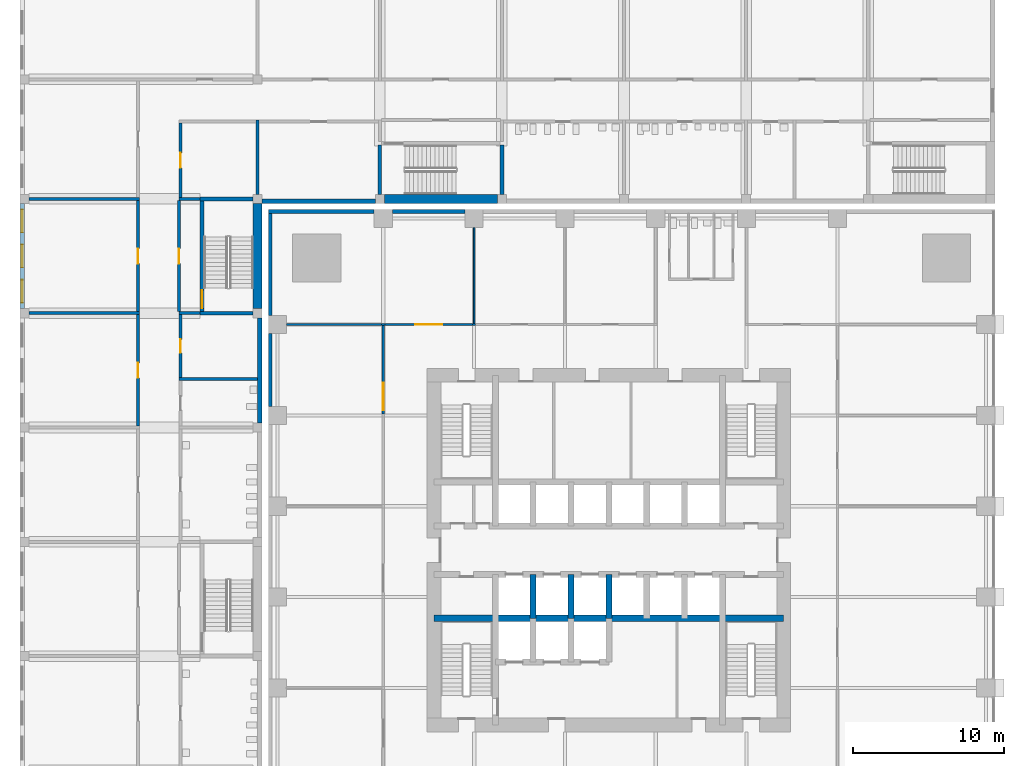
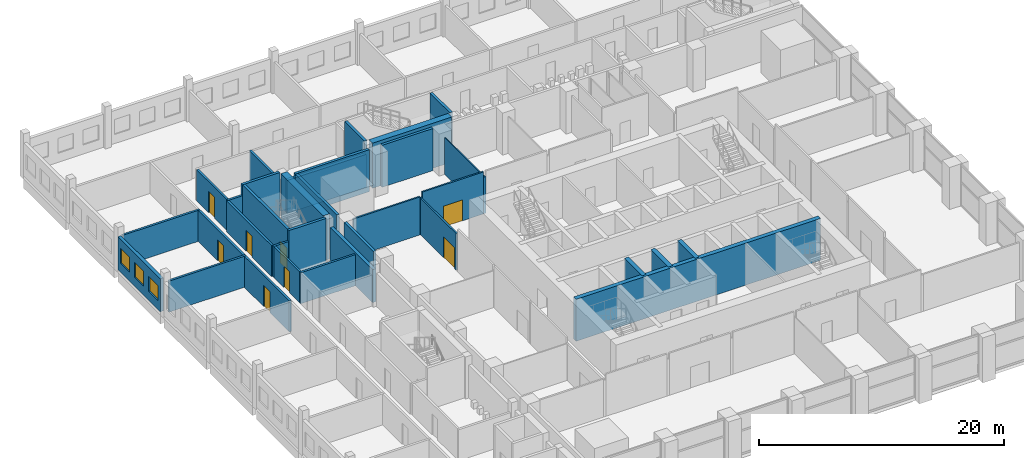
# One storey, part 13 of 25: 35 walls, 8 doors, 3 windows, 11 openings.
"""IFC4 building model written with IfcOpenShell, lengths in metres."""

from ifc_helpers import new_model, si_unit, direction, frame, frame_2d, origin, place, context, subcontext, project, spatial, rectangle, extrude, material, layer, layer_set, type_object, element, fill, save


model = new_model("IFC4")

# Units and contexts
model_context = context("Model", 3, precision=1e-05, world=origin(), true_north=direction((0.0, 1.0)))
body_context = subcontext(model_context, "Body", "Model", "MODEL_VIEW")
ifc_project = project(units=[si_unit("LENGTHUNIT", "METRE"), si_unit("AREAUNIT", "SQUARE_METRE"), si_unit("VOLUMEUNIT", "CUBIC_METRE"), si_unit("PLANEANGLEUNIT", "RADIAN"), si_unit("MASSUNIT", "GRAM", prefix="KILO")], contexts=[model_context])

# Site, building, storey
site_placement = place(None, origin())
site = spatial("IfcSite", under=ifc_project, at=site_placement, CompositionType="ELEMENT")
building_placement = place(site_placement, origin())
building = spatial("IfcBuilding", under=site, at=building_placement, Name="Amberfall Residences", CompositionType="ELEMENT")
storey_placement = place(building_placement, frame((0.0, 0.0, 14.5)))
storey = spatial("IfcBuildingStorey", under=building, at=storey_placement, Name="L03", CompositionType="ELEMENT", Elevation=14.5)

# Walls
ifc_material_1 = material(Name="Concrete C80", Category="concrete")
ifc_layer_1 = layer(ifc_material_1, 0.39990234375)
ifc_layer_set_1 = layer_set([ifc_layer_1], Name="Core wall 400 C80")
wall_type_1 = type_object("IfcWallType", Name="Core wall 400 C80", PredefinedType="SHEAR", material=ifc_layer_set_1)
wall_1_placement = place(storey_placement, frame((62.949951171875, 41.0, 0.0), z_axis=(0.0, 0.0, 1.0), x_axis=(1.0, 0.0, 0.0)))
element("IfcWall", 1, at=wall_1_placement, inside=storey, type_object=wall_type_1, Name="Core wall RW2 L03 H75", PredefinedType="SHEAR", context=body_context, shape_type="SweptSolid", body=[
    extrude(rectangle(XDim=23.10009765625, YDim=0.39990234375, at=frame_2d((11.550048828125, 0.0))), origin(), (0.0, 0.0, 1.0), 4.199951171875),
])
for number, where, z_axis, x_axis, name in (
    (2, (69.5, 41.0, 0.0), (0.0, 0.0, 1.0), (0.0, 1.0, 0.0), "Core wall RW2 L03 LPD1"),
    (3, (72.0, 41.0, 0.0), (0.0, 0.0, 1.0), (0.0, 1.0, 0.0), "Core wall RW2 L03 LPD2"),
    (4, (74.5, 41.0, 0.0), (0.0, 0.0, 1.0), (0.0, 1.0, 0.0), "Core wall RW2 L03 LPD3"),
):
    element("IfcWall", number, at=place(storey_placement, frame(where, z_axis=z_axis, x_axis=x_axis)), inside=storey, type_object=wall_type_1, Name=name, PredefinedType="SHEAR", context=body_context, shape_type="SweptSolid", body=[
        extrude(rectangle(XDim=2.89990234375, YDim=0.39990234375, at=frame_2d((1.449951171875, 0.0))), origin(), (0.0, 0.0, 1.0), 4.199951171875),
    ])
ifc_material_2 = material(Name="Gypsum board on steel studs", Category="steel")
ifc_layer_2 = layer(ifc_material_2, 0.10009765625)
ifc_layer_set_2 = layer_set([ifc_layer_2], Name="Partition 100")
wall_type_2 = type_object("IfcWallType", Name="Partition 100", PredefinedType="PARTITIONING", material=ifc_layer_set_2)
wall_2_placement = place(storey_placement, frame((65.60009765625, 60.47509765625, 0.0), z_axis=(0.0, 0.0, 1.0), x_axis=(0.0, 1.0, 0.0)))
element("IfcWall", 5, at=wall_2_placement, inside=storey, type_object=wall_type_2, Name="Partition 100 L03 004", PredefinedType="PARTITIONING", context=body_context, shape_type="SweptSolid", body=[
    extrude(rectangle(XDim=6.324951171875, YDim=0.10009765625, at=frame_2d((3.16259765625, 0.0))), origin(), (0.0, 0.0, 1.0), 3.6669921875),
])
ifc_material_3 = material(Name="Fire-rated gypsum board on steel studs", Category="steel")
ifc_layer_3 = layer(ifc_material_3, 0.14990234375)
ifc_layer_set_3 = layer_set([ifc_layer_3], Name="Partition 150 fire-rated")
wall_type_3 = type_object("IfcWallType", Name="Partition 150 fire-rated", PredefinedType="PARTITIONING", material=ifc_layer_set_3)
wall_3_placement = place(storey_placement, frame((53.199951171875, 60.39990234375, 0.0), z_axis=(0.0, 0.0, 1.0), x_axis=(1.0, 0.0, 0.0)))
element("IfcWall", 6, at=wall_3_placement, inside=storey, type_object=wall_type_3, Name="Partition 150 fire-rated L03 015", PredefinedType="PARTITIONING", context=body_context, shape_type="SweptSolid", body=[
    extrude(rectangle(XDim=6.280029296875, YDim=0.14990234375, at=frame_2d((3.14013671875, 0.0))), origin(), (0.0, 0.0, 1.0), 3.797119140625),
])
wall_4_placement = place(storey_placement, frame((59.49462890625, 60.39990234375, 0.0), z_axis=(0.0, 0.0, 1.0), x_axis=(1.0, 0.0, 0.0)))
element("IfcWall", 7, at=wall_4_placement, inside=storey, type_object=wall_type_3, Name="Partition 150 fire-rated L03 016", PredefinedType="PARTITIONING", context=body_context, shape_type="SweptSolid", body=[
    extrude(rectangle(XDim=0.210693359375, YDim=0.14990234375, at=frame_2d((0.10546875, 0.0))), origin(), (0.0, 0.0, 1.0), 3.660888671875),
])

# Wall, opening, door
wall_5_placement = place(storey_placement, frame((59.705322265625, 60.39990234375, 0.0), z_axis=(0.0, 0.0, 1.0), x_axis=(1.0, 0.0, 0.0)))
wall_5 = element("IfcWall", 8, at=wall_5_placement, inside=storey, type_object=wall_type_3, Name="Partition 150 fire-rated L03 017", PredefinedType="PARTITIONING", context=body_context, shape_type="SweptSolid", body=[
    extrude(rectangle(XDim=5.7900390625, YDim=0.14990234375, at=frame_2d((2.89501953125, 0.0))), origin(), (0.0, 0.0, 1.0), 4.199951171875),
])
opening_1_placement = place(wall_5_placement, frame((1.99462890625, 0.0, 0.0)))
opening_1 = element("IfcOpeningElement", 9, at=opening_1_placement, cuts=wall_5, Name="Opening D5", PredefinedType="OPENING", context=body_context, shape_type="SweptSolid", body=[
    extrude(rectangle(XDim=1.800048828125, YDim=2.10009765625, at=frame_2d((0.89990234375, 1.050048828125))), frame((0.0, 0.0849609375, 0.0), z_axis=(0.0, -1.0, 0.0), x_axis=(1.0, 0.0, 0.0)), (0.0, 0.0, 1.0), 0.169921875),
])
ifc_material_4 = material(Name="Timber veneer door leaf", Category="wood")
door_type_1 = type_object("IfcDoorType", Name="Double door 1800x2100", OperationType="DOUBLE_DOOR_SINGLE_SWING", PredefinedType="DOOR", material=ifc_material_4)
door_1_placement = place(opening_1_placement, origin())
door_1 = element("IfcDoor", 10, at=door_1_placement, inside=storey, type_object=door_type_1, Name="Door Quiet reading room", OperationType="DOUBLE_DOOR_SINGLE_SWING", OverallHeight=2.10009765625, OverallWidth=1.800048828125, PredefinedType="DOOR", context=body_context, shape_type="SweptSolid", body=[
    extrude(rectangle(XDim=1.800048828125, YDim=2.10009765625, at=frame_2d((0.89990234375, 1.050048828125))), frame((0.0, 0.02490234375, 0.0), z_axis=(0.0, -1.0, 0.0), x_axis=(1.0, 0.0, 0.0)), (0.0, 0.0, 1.0), 0.050048828125),
])
fill(opening_1, door_1)

# Wall
wall_6_placement = place(storey_placement, frame((65.495361328125, 60.39990234375, 0.0), z_axis=(0.0, 0.0, 1.0), x_axis=(1.0, 0.0, 0.0)))
element("IfcWall", 11, at=wall_6_placement, inside=storey, type_object=wall_type_3, Name="Partition 150 fire-rated L03 018", PredefinedType="PARTITIONING", context=body_context, shape_type="SweptSolid", body=[
    extrude(rectangle(XDim=0.209228515625, YDim=0.14990234375, at=frame_2d((0.1044921875, 0.0))), origin(), (0.0, 0.0, 1.0), 3.6669921875),
])

# Wall, opening, door
wall_7_placement = place(storey_placement, frame((59.60009765625, 54.504638671875, 0.0), z_axis=(0.0, 0.0, 1.0), x_axis=(0.0, 1.0, 0.0)))
wall_7 = element("IfcWall", 12, at=wall_7_placement, inside=storey, type_object=wall_type_3, Name="Partition 150 fire-rated L03 036", PredefinedType="PARTITIONING", context=body_context, shape_type="SweptSolid", body=[
    extrude(rectangle(XDim=5.8203125, YDim=0.14990234375, at=frame_2d((2.91015625, 0.0))), origin(), (0.0, 0.0, 1.0), 3.660888671875),
])
opening_2_placement = place(wall_7_placement, frame((0.245361328125, 0.0, 0.0)))
opening_2 = element("IfcOpeningElement", 13, at=opening_2_placement, cuts=wall_7, Name="Opening D5", PredefinedType="OPENING", context=body_context, shape_type="SweptSolid", body=[
    extrude(rectangle(XDim=1.800048828125, YDim=2.10009765625, at=frame_2d((0.89990234375, 1.050048828125))), frame((0.0, 0.0849609375, 0.0), z_axis=(0.0, -1.0, 0.0), x_axis=(1.0, 0.0, 0.0)), (0.0, 0.0, 1.0), 0.169921875),
])
door_2_placement = place(opening_2_placement, origin())
door_2 = element("IfcDoor", 14, at=door_2_placement, inside=storey, type_object=door_type_1, Name="Door Craft studio", OperationType="DOUBLE_DOOR_SINGLE_SWING", OverallHeight=2.10009765625, OverallWidth=1.800048828125, PredefinedType="DOOR", context=body_context, shape_type="SweptSolid", body=[
    extrude(rectangle(XDim=1.800048828125, YDim=2.10009765625, at=frame_2d((0.89990234375, 1.050048828125))), frame((0.0, 0.02490234375, 0.0), z_axis=(0.0, -1.0, 0.0), x_axis=(1.0, 0.0, 0.0)), (0.0, 0.0, 1.0), 0.050048828125),
])
fill(opening_2, door_2)

# Walls
ifc_material_5 = material(Name="Precast concrete C40", Category="concrete")
ifc_layer_4 = layer(ifc_material_5, 0.25)
ifc_layer_set_4 = layer_set([ifc_layer_4], Name="Podium external wall 250")
wall_type_4 = type_object("IfcWallType", Name="Podium external wall 250", PredefinedType="SOLIDWALL", material=ifc_layer_set_4)
wall_8_placement = place(storey_placement, frame((52.0, 67.875, 0.0), z_axis=(0.0, 0.0, 1.0), x_axis=(1.0, 0.0, 0.0)))
element("IfcWall", 15, at=wall_8_placement, inside=storey, type_object=wall_type_4, Name="Podium external wall N1", PredefinedType="SOLIDWALL", context=body_context, shape_type="SweptSolid", body=[
    extrude(rectangle(XDim=7.0, YDim=0.25, at=frame_2d((3.5, 0.0))), origin(), (0.0, 0.0, 1.0), 4.199951171875),
])
for number, where, z_axis, x_axis, name in (
    (16, (60.199951171875, 67.875, 0.0), (0.0, 0.0, 1.0), (1.0, 0.0, 0.0), "Podium external wall N2"),
    (17, (52.125, 55.0, 0.0), (0.0, 0.0, 1.0), (0.0, 1.0, 0.0), "Podium external wall W6"),
):
    element("IfcWall", number, at=place(storey_placement, frame(where, z_axis=z_axis, x_axis=x_axis)), inside=storey, type_object=wall_type_4, Name=name, PredefinedType="SOLIDWALL", context=body_context, shape_type="SweptSolid", body=[
        extrude(rectangle(XDim=4.800048828125, YDim=0.25, at=frame_2d((2.39990234375, 0.0))), origin(), (0.0, 0.0, 1.0), 4.199951171875),
    ])
wall_9_placement = place(storey_placement, frame((52.125, 61.0, 0.0), z_axis=(0.0, 0.0, 1.0), x_axis=(0.0, 1.0, 0.0)))
element("IfcWall", 18, at=wall_9_placement, inside=storey, type_object=wall_type_4, Name="Podium external wall W7", PredefinedType="SOLIDWALL", context=body_context, shape_type="SweptSolid", body=[
    extrude(rectangle(XDim=7.0, YDim=0.25, at=frame_2d((3.5, 0.0))), origin(), (0.0, 0.0, 1.0), 4.199951171875),
])

# Wall, openings, windows
ifc_material_6 = material(Name="Aerated block wall")
ifc_layer_5 = layer(ifc_material_6, 0.300048828125)
ifc_layer_set_5 = layer_set([ifc_layer_5], Name="School external wall 300")
wall_type_5 = type_object("IfcWallType", Name="School external wall 300", PredefinedType="SOLIDWALL", material=ifc_layer_set_5)
wall_10_placement = place(storey_placement, frame((35.75, 61.449951171875, 0.0), z_axis=(0.0, 0.0, 1.0), x_axis=(0.0, 1.0, 0.0)))
wall_10 = element("IfcWall", 19, at=wall_10_placement, inside=storey, type_object=wall_type_5, Name="School external wall L03 EW7", PredefinedType="SOLIDWALL", context=body_context, shape_type="SweptSolid", body=[
    extrude(rectangle(XDim=6.949951171875, YDim=0.300048828125, at=frame_2d((3.47509765625, 0.0))), origin(), (0.0, 0.0, 1.0), 3.300048828125),
])
opening_3_placement = place(wall_10_placement, frame((0.408203125, 0.0, 0.89990234375)))
opening_3 = element("IfcOpeningElement", 20, at=opening_3_placement, cuts=wall_10, Name="Opening SWN1", PredefinedType="OPENING", context=body_context, shape_type="SweptSolid", body=[
    extrude(rectangle(XDim=1.5, YDim=1.5, at=frame_2d((0.75, 0.75))), frame((0.0, 0.159912109375, 0.0), z_axis=(0.0, -1.0, 0.0), x_axis=(1.0, 0.0, 0.0)), (0.0, 0.0, 1.0), 0.320068359375),
])
opening_4_placement = place(wall_10_placement, frame((2.72509765625, 0.0, 0.89990234375)))
opening_4 = element("IfcOpeningElement", 21, at=opening_4_placement, cuts=wall_10, Name="Opening SWN1", PredefinedType="OPENING", context=body_context, shape_type="SweptSolid", body=[
    extrude(rectangle(XDim=1.5, YDim=1.5, at=frame_2d((0.75, 0.75))), frame((0.0, 0.159912109375, 0.0), z_axis=(0.0, -1.0, 0.0), x_axis=(1.0, 0.0, 0.0)), (0.0, 0.0, 1.0), 0.320068359375),
])
opening_5_placement = place(wall_10_placement, frame((5.041748046875, 0.0, 0.89990234375)))
opening_5 = element("IfcOpeningElement", 22, at=opening_5_placement, cuts=wall_10, Name="Opening SWN1", PredefinedType="OPENING", context=body_context, shape_type="SweptSolid", body=[
    extrude(rectangle(XDim=1.5, YDim=1.5, at=frame_2d((0.75, 0.75))), frame((0.0, 0.159912109375, 0.0), z_axis=(0.0, -1.0, 0.0), x_axis=(1.0, 0.0, 0.0)), (0.0, 0.0, 1.0), 0.320068359375),
])
ifc_material_7 = material(Name="Aluminium window", Category="aluminium")
window_type = type_object("IfcWindowType", Name="School window 1500 x 1500", PartitioningType="DOUBLE_PANEL_HORIZONTAL", PredefinedType="WINDOW", material=ifc_material_7)
window_1_placement = place(opening_3_placement, origin())
window_1 = element("IfcWindow", 23, at=window_1_placement, inside=storey, type_object=window_type, Name="School window L03 EW7-1", OverallHeight=1.5, OverallWidth=1.5, PartitioningType="DOUBLE_PANEL_HORIZONTAL", PredefinedType="WINDOW", context=body_context, shape_type="SweptSolid", body=[
    extrude(rectangle(XDim=1.5, YDim=1.5, at=frame_2d((0.75, 0.75))), frame((0.0, 0.030029296875, 0.0), z_axis=(0.0, -1.0, 0.0), x_axis=(1.0, 0.0, 0.0)), (0.0, 0.0, 1.0), 0.06005859375),
])
fill(opening_3, window_1)
window_2_placement = place(opening_4_placement, origin())
window_2 = element("IfcWindow", 24, at=window_2_placement, inside=storey, type_object=window_type, Name="School window L03 EW7-2", OverallHeight=1.5, OverallWidth=1.5, PartitioningType="DOUBLE_PANEL_HORIZONTAL", PredefinedType="WINDOW", context=body_context, shape_type="SweptSolid", body=[
    extrude(rectangle(XDim=1.5, YDim=1.5, at=frame_2d((0.75, 0.75))), frame((0.0, 0.030029296875, 0.0), z_axis=(0.0, -1.0, 0.0), x_axis=(1.0, 0.0, 0.0)), (0.0, 0.0, 1.0), 0.06005859375),
])
fill(opening_4, window_2)
window_3_placement = place(opening_5_placement, origin())
window_3 = element("IfcWindow", 25, at=window_3_placement, inside=storey, type_object=window_type, Name="School window L03 EW7-3", OverallHeight=1.5, OverallWidth=1.5, PartitioningType="DOUBLE_PANEL_HORIZONTAL", PredefinedType="WINDOW", context=body_context, shape_type="SweptSolid", body=[
    extrude(rectangle(XDim=1.5, YDim=1.5, at=frame_2d((0.75, 0.75))), frame((0.0, 0.030029296875, 0.0), z_axis=(0.0, -1.0, 0.0), x_axis=(1.0, 0.0, 0.0)), (0.0, 0.0, 1.0), 0.06005859375),
])
fill(opening_5, window_3)

# Walls
wall_11_placement = place(storey_placement, frame((51.449951171875, 53.89990234375, 0.0), z_axis=(0.0, 0.0, 1.0), x_axis=(0.0, 1.0, 0.0)))
element("IfcWall", 26, at=wall_11_placement, inside=storey, type_object=wall_type_5, Name="School external wall L03 ET6", PredefinedType="SOLIDWALL", context=body_context, shape_type="SweptSolid", body=[
    extrude(rectangle(XDim=6.9501953125, YDim=0.300048828125, at=frame_2d((3.47509765625, 0.0))), origin(), (0.0, 0.0, 1.0), 3.300048828125),
])
wall_12_placement = place(storey_placement, frame((51.60009765625, 68.550048828125, 0.0), z_axis=(0.0, 0.0, 1.0), x_axis=(1.0, 0.0, 0.0)))
element("IfcWall", 27, at=wall_12_placement, inside=storey, type_object=wall_type_5, Name="School external wall L03 EY0", PredefinedType="SOLIDWALL", context=body_context, shape_type="SweptSolid", body=[
    extrude(rectangle(XDim=7.466796875, YDim=0.300048828125, at=frame_2d((3.7333984375, 0.0))), origin(), (0.0, 0.0, 1.0), 3.300048828125),
])

# Wall, opening, door
ifc_layer_6 = layer(ifc_material_6, 0.199951171875)
ifc_layer_set_6 = layer_set([ifc_layer_6], Name="School partition 200")
wall_type_6 = type_object("IfcWallType", Name="School partition 200", PredefinedType="PARTITIONING", material=ifc_layer_set_6)
wall_13_placement = place(storey_placement, frame((43.39990234375, 53.699951171875, 0.0), z_axis=(0.0, 0.0, 1.0), x_axis=(0.0, 1.0, 0.0)))
wall_13 = element("IfcWall", 28, at=wall_13_placement, inside=storey, type_object=wall_type_6, Name="School partition L03 CWW6", PredefinedType="PARTITIONING", context=body_context, shape_type="SweptSolid", body=[
    extrude(rectangle(XDim=7.35009765625, YDim=0.199951171875, at=frame_2d((3.675048828125, 0.0))), origin(), (0.0, 0.0, 1.0), 3.10009765625),
])
opening_6_placement = place(wall_13_placement, frame((3.175048828125, 0.0, 0.0)))
opening_6 = element("IfcOpeningElement", 29, at=opening_6_placement, cuts=wall_13, Name="Opening SD5", PredefinedType="OPENING", context=body_context, shape_type="SweptSolid", body=[
    extrude(rectangle(XDim=1.0, YDim=2.10009765625, at=frame_2d((0.5, 1.050048828125))), frame((0.0, 0.10986328125, 0.0), z_axis=(0.0, -1.0, 0.0), x_axis=(1.0, 0.0, 0.0)), (0.0, 0.0, 1.0), 0.219970703125),
])
ifc_material_8 = material(Name="Timber door", Category="wood")
door_type_2 = type_object("IfcDoorType", Name="School classroom door 1000 x 2100", OperationType="SINGLE_SWING_LEFT", PredefinedType="DOOR", material=ifc_material_8)
door_3_placement = place(opening_6_placement, origin())
door_3 = element("IfcDoor", 30, at=door_3_placement, inside=storey, type_object=door_type_2, Name="School door L03 CWW6-1", OperationType="SINGLE_SWING_LEFT", OverallHeight=2.10009765625, OverallWidth=1.0, PredefinedType="DOOR", context=body_context, shape_type="SweptSolid", body=[
    extrude(rectangle(XDim=1.0, YDim=2.10009765625, at=frame_2d((0.5, 1.050048828125))), frame((0.0, 0.02490234375, 0.0), z_axis=(0.0, -1.0, 0.0), x_axis=(1.0, 0.0, 0.0)), (0.0, 0.0, 1.0), 0.050048828125),
])
fill(opening_6, door_3)

wall_14_placement = place(storey_placement, frame((43.39990234375, 61.25, 0.0), z_axis=(0.0, 0.0, 1.0), x_axis=(0.0, 1.0, 0.0)))
wall_14 = element("IfcWall", 31, at=wall_14_placement, inside=storey, type_object=wall_type_6, Name="School partition L03 CWW7", PredefinedType="PARTITIONING", context=body_context, shape_type="SweptSolid", body=[
    extrude(rectangle(XDim=7.35009765625, YDim=0.199951171875, at=frame_2d((3.675048828125, 0.0))), origin(), (0.0, 0.0, 1.0), 3.10009765625),
])
opening_7_placement = place(wall_14_placement, frame((3.175048828125, 0.0, 0.0)))
opening_7 = element("IfcOpeningElement", 32, at=opening_7_placement, cuts=wall_14, Name="Opening SD5", PredefinedType="OPENING", context=body_context, shape_type="SweptSolid", body=[
    extrude(rectangle(XDim=1.0, YDim=2.10009765625, at=frame_2d((0.5, 1.050048828125))), frame((0.0, 0.10986328125, 0.0), z_axis=(0.0, -1.0, 0.0), x_axis=(1.0, 0.0, 0.0)), (0.0, 0.0, 1.0), 0.219970703125),
])
door_4_placement = place(opening_7_placement, origin())
door_4 = element("IfcDoor", 33, at=door_4_placement, inside=storey, type_object=door_type_2, Name="School door L03 CWW7-1", OperationType="SINGLE_SWING_LEFT", OverallHeight=2.10009765625, OverallWidth=1.0, PredefinedType="DOOR", context=body_context, shape_type="SweptSolid", body=[
    extrude(rectangle(XDim=1.0, YDim=2.10009765625, at=frame_2d((0.5, 1.050048828125))), frame((0.0, 0.02490234375, 0.0), z_axis=(0.0, -1.0, 0.0), x_axis=(1.0, 0.0, 0.0)), (0.0, 0.0, 1.0), 0.050048828125),
])
fill(opening_7, door_4)

# Walls
for number, where, z_axis, x_axis, name in (
    (34, (36.199951171875, 61.14990234375, 0.0), (0.0, 0.0, 1.0), (1.0, 0.0, 0.0), "School partition L03 PW6115"),
    (35, (36.199951171875, 68.699951171875, 0.0), (0.0, 0.0, 1.0), (1.0, 0.0, 0.0), "School partition L03 PW6870"),
):
    element("IfcWall", number, at=place(storey_placement, frame(where, z_axis=z_axis, x_axis=x_axis)), inside=storey, type_object=wall_type_6, Name=name, PredefinedType="PARTITIONING", context=body_context, shape_type="SweptSolid", body=[
        extrude(rectangle(XDim=7.300048828125, YDim=0.199951171875, at=frame_2d((3.64990234375, 0.0))), origin(), (0.0, 0.0, 1.0), 3.10009765625),
    ])

# Wall, opening, door
wall_15_placement = place(storey_placement, frame((46.199951171875, 56.89990234375, 0.0), z_axis=(0.0, 0.0, 1.0), x_axis=(0.0, 1.0, 0.0)))
wall_15 = element("IfcWall", 36, at=wall_15_placement, inside=storey, type_object=wall_type_6, Name="School partition L03 CWE657", PredefinedType="PARTITIONING", context=body_context, shape_type="SweptSolid", body=[
    extrude(rectangle(XDim=4.150146484375, YDim=0.199951171875, at=frame_2d((2.0751953125, 0.0))), origin(), (0.0, 0.0, 1.0), 3.10009765625),
])
opening_8_placement = place(wall_15_placement, frame((1.625, 0.0, 0.0)))
opening_8 = element("IfcOpeningElement", 37, at=opening_8_placement, cuts=wall_15, Name="Opening SD2", PredefinedType="OPENING", context=body_context, shape_type="SweptSolid", body=[
    extrude(rectangle(XDim=0.89990234375, YDim=2.10009765625, at=frame_2d((0.449951171875, 1.050048828125))), frame((0.0, 0.10986328125, 0.0), z_axis=(0.0, -1.0, 0.0), x_axis=(1.0, 0.0, 0.0)), (0.0, 0.0, 1.0), 0.219970703125),
])
door_type_3 = type_object("IfcDoorType", Name="School WC door 900 x 2100", OperationType="SINGLE_SWING_LEFT", PredefinedType="DOOR", material=ifc_material_8)
door_5_placement = place(opening_8_placement, origin())
door_5 = element("IfcDoor", 38, at=door_5_placement, inside=storey, type_object=door_type_3, Name="School door L03 CWE657-1", OperationType="SINGLE_SWING_LEFT", OverallHeight=2.10009765625, OverallWidth=0.89990234375, PredefinedType="DOOR", context=body_context, shape_type="SweptSolid", body=[
    extrude(rectangle(XDim=0.89990234375, YDim=2.10009765625, at=frame_2d((0.449951171875, 1.050048828125))), frame((0.0, 0.02490234375, 0.0), z_axis=(0.0, -1.0, 0.0), x_axis=(1.0, 0.0, 0.0)), (0.0, 0.0, 1.0), 0.050048828125),
])
fill(opening_8, door_5)

wall_16_placement = place(storey_placement, frame((46.199951171875, 68.800048828125, 0.0), z_axis=(0.0, 0.0, 1.0), x_axis=(0.0, 1.0, 0.0)))
wall_16 = element("IfcWall", 39, at=wall_16_placement, inside=storey, type_object=wall_type_6, Name="School partition L03 CWE869", PredefinedType="PARTITIONING", context=body_context, shape_type="SweptSolid", body=[
    extrude(rectangle(XDim=4.89990234375, YDim=0.199951171875, at=frame_2d((2.449951171875, 0.0))), origin(), (0.0, 0.0, 1.0), 3.10009765625),
])
opening_9_placement = place(wall_16_placement, frame((1.949951171875, 0.0, 0.0)))
opening_9 = element("IfcOpeningElement", 40, at=opening_9_placement, cuts=wall_16, Name="Opening SD5", PredefinedType="OPENING", context=body_context, shape_type="SweptSolid", body=[
    extrude(rectangle(XDim=1.0, YDim=2.10009765625, at=frame_2d((0.5, 1.050048828125))), frame((0.0, 0.10986328125, 0.0), z_axis=(0.0, -1.0, 0.0), x_axis=(1.0, 0.0, 0.0)), (0.0, 0.0, 1.0), 0.219970703125),
])
door_6_placement = place(opening_9_placement, origin())
door_6 = element("IfcDoor", 41, at=door_6_placement, inside=storey, type_object=door_type_2, Name="School door L03 CWE869-1", OperationType="SINGLE_SWING_LEFT", OverallHeight=2.10009765625, OverallWidth=1.0, PredefinedType="DOOR", context=body_context, shape_type="SweptSolid", body=[
    extrude(rectangle(XDim=1.0, YDim=2.10009765625, at=frame_2d((0.5, 1.050048828125))), frame((0.0, 0.02490234375, 0.0), z_axis=(0.0, -1.0, 0.0), x_axis=(1.0, 0.0, 0.0)), (0.0, 0.0, 1.0), 0.050048828125),
])
fill(opening_9, door_6)

# Walls
for number, where, z_axis, x_axis, name in (
    (42, (46.10009765625, 61.14990234375, 0.0), (0.0, 0.0, 1.0), (1.0, 0.0, 0.0), "School partition L03 PEA7"),
    (43, (46.10009765625, 68.699951171875, 0.0), (0.0, 0.0, 1.0), (1.0, 0.0, 0.0), "School partition L03 PEA8"),
):
    element("IfcWall", number, at=place(storey_placement, frame(where, z_axis=z_axis, x_axis=x_axis)), inside=storey, type_object=wall_type_6, Name=name, PredefinedType="PARTITIONING", context=body_context, shape_type="SweptSolid", body=[
        extrude(rectangle(XDim=1.39990234375, YDim=0.199951171875, at=frame_2d((0.699951171875, 0.0))), origin(), (0.0, 0.0, 1.0), 3.10009765625),
    ])
wall_17_placement = place(storey_placement, frame((46.10009765625, 56.800048828125, 0.0), z_axis=(0.0, 0.0, 1.0), x_axis=(1.0, 0.0, 0.0)))
element("IfcWall", 44, at=wall_17_placement, inside=storey, type_object=wall_type_6, Name="School partition L03 PE6x", PredefinedType="PARTITIONING", context=body_context, shape_type="SweptSolid", body=[
    extrude(rectangle(XDim=5.199951171875, YDim=0.199951171875, at=frame_2d((2.60009765625, 0.0))), origin(), (0.0, 0.0, 1.0), 3.10009765625),
])
wall_18_placement = place(storey_placement, frame((51.300048828125, 69.0, 0.0), z_axis=(0.0, 0.0, 1.0), x_axis=(0.0, 1.0, 0.0)))
element("IfcWall", 45, at=wall_18_placement, inside=storey, type_object=wall_type_6, Name="School partition L03 PES", PredefinedType="PARTITIONING", context=body_context, shape_type="SweptSolid", body=[
    extrude(rectangle(XDim=4.89990234375, YDim=0.199951171875, at=frame_2d((2.449951171875, 0.0))), origin(), (0.0, 0.0, 1.0), 3.10009765625),
])

# Wall, opening, door
wall_19_placement = place(storey_placement, frame((46.10009765625, 61.25, 0.0), z_axis=(0.0, 0.0, 1.0), x_axis=(0.0, 1.0, 0.0)))
wall_19 = element("IfcWall", 46, at=wall_19_placement, inside=storey, type_object=wall_type_6, Name="School partition L03 CWLSS3", PredefinedType="PARTITIONING", context=body_context, shape_type="SweptSolid", body=[
    extrude(rectangle(XDim=7.35009765625, YDim=0.199951171875, at=frame_2d((3.675048828125, 0.0))), origin(), (0.0, 0.0, 1.0), 3.10009765625),
])
opening_10_placement = place(wall_19_placement, frame((3.175048828125, 0.0, 0.0)))
opening_10 = element("IfcOpeningElement", 47, at=opening_10_placement, cuts=wall_19, Name="Opening SD8", PredefinedType="OPENING", context=body_context, shape_type="SweptSolid", body=[
    extrude(rectangle(XDim=1.0, YDim=2.10009765625, at=frame_2d((0.5, 1.050048828125))), frame((0.0, 0.10986328125, 0.0), z_axis=(0.0, -1.0, 0.0), x_axis=(1.0, 0.0, 0.0)), (0.0, 0.0, 1.0), 0.219970703125),
])
door_type_4 = type_object("IfcDoorType", Name="School lobby door 1000 x 2100", OperationType="SINGLE_SWING_LEFT", PredefinedType="DOOR", material=ifc_material_8)
door_7_placement = place(opening_10_placement, origin())
door_7 = element("IfcDoor", 48, at=door_7_placement, inside=storey, type_object=door_type_4, Name="School door L03 CWLSS3-1", OperationType="SINGLE_SWING_LEFT", OverallHeight=2.10009765625, OverallWidth=1.0, PredefinedType="DOOR", context=body_context, shape_type="SweptSolid", body=[
    extrude(rectangle(XDim=1.0, YDim=2.10009765625, at=frame_2d((0.5, 1.050048828125))), frame((0.0, 0.02490234375, 0.0), z_axis=(0.0, -1.0, 0.0), x_axis=(1.0, 0.0, 0.0)), (0.0, 0.0, 1.0), 0.050048828125),
])
fill(opening_10, door_7)

ifc_material_9 = material(Name="Concrete C50", Category="concrete")
ifc_layer_7 = layer(ifc_material_9, 0.25)
ifc_layer_set_7 = layer_set([ifc_layer_7], Name="School stair core wall 250 C50")
wall_type_7 = type_object("IfcWallType", Name="School stair core wall 250 C50", PredefinedType="SHEAR", material=ifc_layer_set_7)
wall_20_placement = place(storey_placement, frame((47.625, 61.27490234375, -0.300048828125), z_axis=(0.0, 0.0, 1.0), x_axis=(0.0, 1.0, 0.0)))
wall_20 = element("IfcWall", 49, at=wall_20_placement, inside=storey, type_object=wall_type_7, Name="School core wall L03 SS3W", PredefinedType="SHEAR", context=body_context, shape_type="SweptSolid", body=[
    extrude(rectangle(XDim=7.300048828125, YDim=0.25, at=frame_2d((3.64990234375, 0.0))), origin(), (0.0, 0.0, 1.0), 4.5),
])
opening_11_placement = place(wall_20_placement, frame((0.199951171875, 0.0, 0.300048828125)))
opening_11 = element("IfcOpeningElement", 50, at=opening_11_placement, cuts=wall_20, Name="Opening SD4", PredefinedType="OPENING", context=body_context, shape_type="SweptSolid", body=[
    extrude(rectangle(XDim=1.199951171875, YDim=2.10009765625, at=frame_2d((0.60009765625, 1.050048828125))), frame((0.0, 0.135009765625, 0.0), z_axis=(0.0, -1.0, 0.0), x_axis=(1.0, 0.0, 0.0)), (0.0, 0.0, 1.0), 0.27001953125),
])
ifc_material_10 = material(Name="Steel fire door", Category="steel")
door_type_5 = type_object("IfcDoorType", Name="School stair door 1200 x 2100 FD120", OperationType="SINGLE_SWING_LEFT", PredefinedType="DOOR", material=ifc_material_10)
door_8_placement = place(opening_11_placement, origin())
door_8 = element("IfcDoor", 51, at=door_8_placement, inside=storey, type_object=door_type_5, Name="School stair door L03 SS3", OperationType="SINGLE_SWING_LEFT", OverallHeight=2.10009765625, OverallWidth=1.199951171875, PredefinedType="DOOR", context=body_context, shape_type="SweptSolid", body=[
    extrude(rectangle(XDim=1.199951171875, YDim=2.10009765625, at=frame_2d((0.60009765625, 1.050048828125))), frame((0.0, 0.02490234375, 0.0), z_axis=(0.0, -1.0, 0.0), x_axis=(1.0, 0.0, 0.0)), (0.0, 0.0, 1.0), 0.050048828125),
])
fill(opening_11, door_8)

# Walls
for number, where, z_axis, x_axis, name in (
    (52, (47.5, 61.14990234375, -0.300048828125), (0.0, 0.0, 1.0), (1.0, 0.0, 0.0), "School core wall L03 SS3S"),
    (53, (47.5, 68.699951171875, -0.300048828125), (0.0, 0.0, 1.0), (1.0, 0.0, 0.0), "School core wall L03 SS3N"),
):
    element("IfcWall", number, at=place(storey_placement, frame(where, z_axis=z_axis, x_axis=x_axis)), inside=storey, type_object=wall_type_7, Name=name, PredefinedType="SHEAR", context=body_context, shape_type="SweptSolid", body=[
        extrude(rectangle(XDim=3.5, YDim=0.25, at=frame_2d((1.75, 0.0))), origin(), (0.0, 0.0, 1.0), 4.5),
    ])
for number, where, z_axis, x_axis, name in (
    (54, (59.366943359375, 69.0, -0.300048828125), (0.0, 0.0, 1.0), (0.0, 1.0, 0.0), "School core wall L03 SS4W"),
    (55, (67.43310546875, 69.0, -0.300048828125), (0.0, 0.0, 1.0), (0.0, 1.0, 0.0), "School core wall L03 SS4EW"),
):
    element("IfcWall", number, at=place(storey_placement, frame(where, z_axis=z_axis, x_axis=x_axis)), inside=storey, type_object=wall_type_7, Name=name, PredefinedType="SHEAR", context=body_context, shape_type="SweptSolid", body=[
        extrude(rectangle(XDim=3.25, YDim=0.25, at=frame_2d((1.625, 0.0))), origin(), (0.0, 0.0, 1.0), 4.5),
    ])
ifc_layer_8 = layer(ifc_material_9, 0.60009765625)
ifc_layer_set_8 = layer_set([ifc_layer_8], Name="School tower-side core wall 600 C50")
wall_type_8 = type_object("IfcWallType", Name="School tower-side core wall 600 C50", PredefinedType="SHEAR", material=ifc_layer_set_8)
wall_21_placement = place(storey_placement, frame((51.300048828125, 61.449951171875, -0.300048828125), z_axis=(0.0, 0.0, 1.0), x_axis=(0.0, 1.0, 0.0)))
element("IfcWall", 56, at=wall_21_placement, inside=storey, type_object=wall_type_8, Name="School core wall L03 SS3E", PredefinedType="SHEAR", context=body_context, shape_type="SweptSolid", body=[
    extrude(rectangle(XDim=6.949951171875, YDim=0.60009765625, at=frame_2d((3.47509765625, 0.0))), origin(), (0.0, 0.0, 1.0), 4.5),
])
wall_22_placement = place(storey_placement, frame((59.6669921875, 68.699951171875, -0.300048828125), z_axis=(0.0, 0.0, 1.0), x_axis=(1.0, 0.0, 0.0)))
element("IfcWall", 57, at=wall_22_placement, inside=storey, type_object=wall_type_8, Name="School core wall L03 SS4S", PredefinedType="SHEAR", context=body_context, shape_type="SweptSolid", body=[
    extrude(rectangle(XDim=7.466064453125, YDim=0.60009765625, at=frame_2d((3.73291015625, 0.0))), origin(), (0.0, 0.0, 1.0), 4.5),
])

save(model, "model.ifc")
